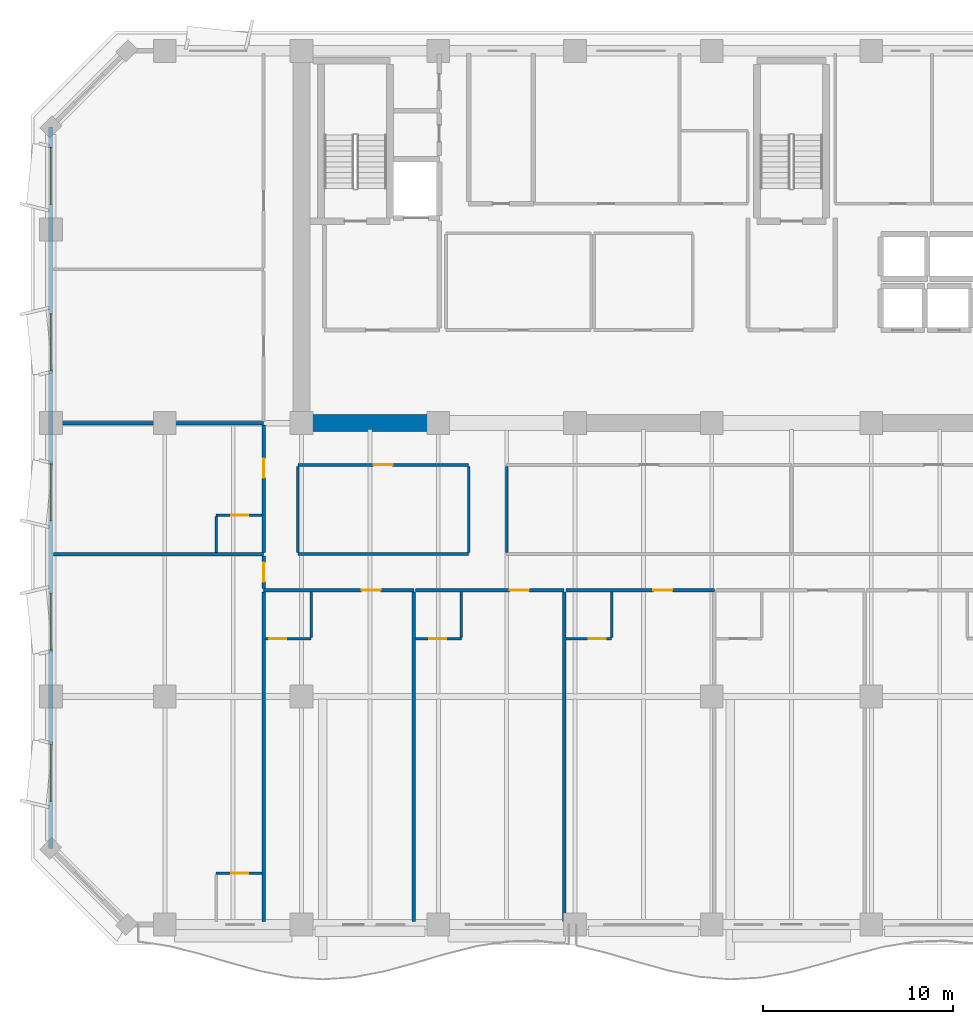
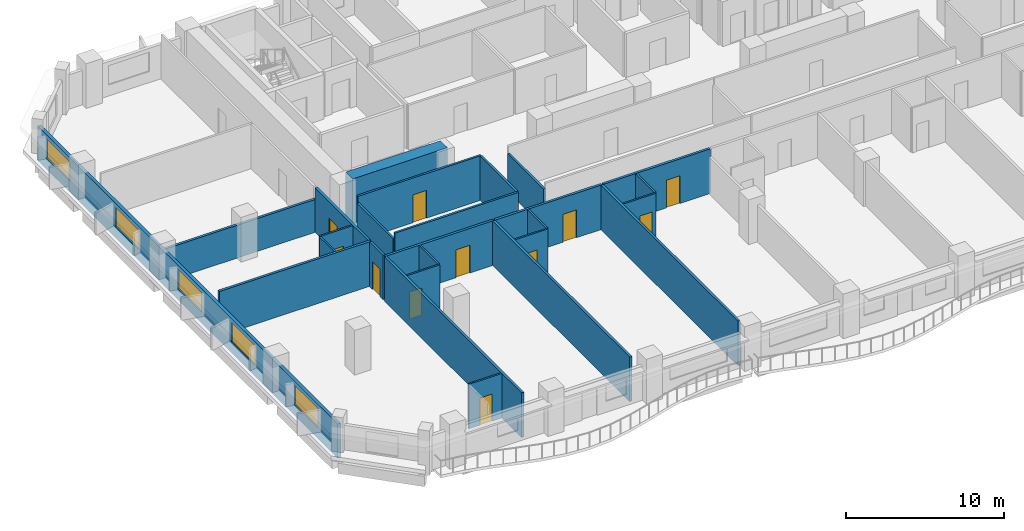
# One storey, part 4 of 15: 26 walls, 11 doors, 5 windows, 16 openings.
"""IFC4 building model written with IfcOpenShell, lengths in metres."""

from ifc_helpers import new_model, si_unit, direction, frame, frame_2d, origin, place, context, subcontext, project, spatial, rectangle, extrude, material, layer, layer_set, type_object, element, fill, save


model = new_model("IFC4")

# Units and contexts
model_context = context("Model", 3, precision=1e-05, world=origin(), true_north=direction((0.0, 1.0)))
body_context = subcontext(model_context, "Body", "Model", "MODEL_VIEW")
ifc_project = project(units=[si_unit("LENGTHUNIT", "METRE"), si_unit("AREAUNIT", "SQUARE_METRE"), si_unit("VOLUMEUNIT", "CUBIC_METRE"), si_unit("PLANEANGLEUNIT", "RADIAN"), si_unit("MASSUNIT", "GRAM", prefix="KILO")], contexts=[model_context])

# Site, building, storey
site_placement = place(None, origin())
site = spatial("IfcSite", under=ifc_project, at=site_placement, CompositionType="ELEMENT")
building_placement = place(site_placement, origin())
building = spatial("IfcBuilding", under=site, at=building_placement, Name="Kaelvorn Grand Hotel", CompositionType="ELEMENT")
storey_placement = place(building_placement, frame((0.0, 0.0, 180.949951171875)))
storey = spatial("IfcBuildingStorey", under=building, at=storey_placement, Name="L44", CompositionType="ELEMENT", Elevation=180.949951171875)

# Wall
ifc_material_1 = material(Name="Concrete C60/75", Category="concrete")
ifc_layer_1 = layer(ifc_material_1, 0.89990234375)
ifc_layer_set_1 = layer_set([ifc_layer_1], Name="Concrete C60/75")
wall_type_1 = type_object("IfcWallType", Name="WL-CORE-900-C60", PredefinedType="SHEAR", material=ifc_layer_set_1)
wall_1_placement = place(storey_placement, frame((16.655029296875, 29.39990234375, 0.0), z_axis=(0.0, 0.0, 1.0), x_axis=(1.0, 0.0, 0.0)))
element("IfcWall", 1, at=wall_1_placement, inside=storey, type_object=wall_type_1, Name="L44 Rear-Core Coupled Shear Pier S1", PredefinedType="SHEAR", context=body_context, shape_type="SweptSolid", body=[
    extrude(rectangle(XDim=6.945068359375, YDim=0.89990234375, at=frame_2d((3.47265625, 0.0))), origin(), (0.0, 0.0, 1.0), 3.449951171875),
])

# Wall, openings, windows
ifc_material_2 = material(Name="Concrete C40/50", Category="concrete")
ifc_layer_2 = layer(ifc_material_2, 0.239990234375)
ifc_layer_set_2 = layer_set([ifc_layer_2], Name="Concrete C40/50")
wall_type_2 = type_object("IfcWallType", Name="WL-EXT-240-C40", PredefinedType="SOLIDWALL", material=ifc_layer_set_2)
wall_2_placement = place(storey_placement, frame((3.0, 45.0, 0.0), z_axis=(0.0, 0.0, 1.0), x_axis=(0.0, -1.0, 0.0)))
wall_2 = element("IfcWall", 2, at=wall_2_placement, inside=storey, type_object=wall_type_2, Name="L44 Exterior Architectural Concrete Wall 07", PredefinedType="SOLIDWALL", context=body_context, shape_type="SweptSolid", body=[
    extrude(rectangle(XDim=38.0, YDim=0.239990234375, at=frame_2d((19.0, 0.0))), origin(), (0.0, 0.0, 1.0), 2.650146484375),
])
opening_1_placement = place(wall_2_placement, frame((32.5, 0.0, 0.85009765625)))
opening_1 = element("IfcOpeningElement", 3, at=opening_1_placement, cuts=wall_2, Name="Opening W5", PredefinedType="OPENING", context=body_context, shape_type="SweptSolid", body=[
    extrude(rectangle(XDim=3.0, YDim=1.5, at=frame_2d((1.5, 0.75))), frame((0.0, 0.1298828125, 0.0), z_axis=(0.0, -1.0, 0.0), x_axis=(1.0, 0.0, 0.0)), (0.0, 0.0, 1.0), 0.260009765625),
])
opening_2_placement = place(wall_2_placement, frame((24.550048828125, 0.0, 0.85009765625)))
opening_2 = element("IfcOpeningElement", 4, at=opening_2_placement, cuts=wall_2, Name="Opening W5", PredefinedType="OPENING", context=body_context, shape_type="SweptSolid", body=[
    extrude(rectangle(XDim=3.0, YDim=1.5, at=frame_2d((1.5, 0.75))), frame((0.0, 0.1298828125, 0.0), z_axis=(0.0, -1.0, 0.0), x_axis=(1.0, 0.0, 0.0)), (0.0, 0.0, 1.0), 0.260009765625),
])
opening_3_placement = place(wall_2_placement, frame((17.75, 0.0, 0.85009765625)))
opening_3 = element("IfcOpeningElement", 5, at=opening_3_placement, cuts=wall_2, Name="Opening W5", PredefinedType="OPENING", context=body_context, shape_type="SweptSolid", body=[
    extrude(rectangle(XDim=3.0, YDim=1.5, at=frame_2d((1.5, 0.75))), frame((0.0, 0.1298828125, 0.0), z_axis=(0.0, -1.0, 0.0), x_axis=(1.0, 0.0, 0.0)), (0.0, 0.0, 1.0), 0.260009765625),
])
opening_4_placement = place(wall_2_placement, frame((9.85009765625, 0.0, 0.85009765625)))
opening_4 = element("IfcOpeningElement", 6, at=opening_4_placement, cuts=wall_2, Name="Opening W5", PredefinedType="OPENING", context=body_context, shape_type="SweptSolid", body=[
    extrude(rectangle(XDim=3.0, YDim=1.5, at=frame_2d((1.5, 0.75))), frame((0.0, 0.1298828125, 0.0), z_axis=(0.0, -1.0, 0.0), x_axis=(1.0, 0.0, 0.0)), (0.0, 0.0, 1.0), 0.260009765625),
])
opening_5_placement = place(wall_2_placement, frame((1.0849609375, 0.0, 0.85009765625)))
opening_5 = element("IfcOpeningElement", 7, at=opening_5_placement, cuts=wall_2, Name="Opening W5", PredefinedType="OPENING", context=body_context, shape_type="SweptSolid", body=[
    extrude(rectangle(XDim=3.0, YDim=1.5, at=frame_2d((1.5, 0.75))), frame((0.0, 0.1298828125, 0.0), z_axis=(0.0, -1.0, 0.0), x_axis=(1.0, 0.0, 0.0)), (0.0, 0.0, 1.0), 0.260009765625),
])
ifc_material_3 = material(Name="Laminated Low-E Glass", Category="glass")
window_type = type_object("IfcWindowType", Name="WIN-NTH-3000x1500", PartitioningType="SINGLE_PANEL", PredefinedType="WINDOW", material=ifc_material_3)
window_1_placement = place(opening_1_placement, origin())
window_1 = element("IfcWindow", 8, at=window_1_placement, inside=storey, type_object=window_type, Name="L44 W Wing Tilted-Frame Ribbon Window W01", OverallHeight=1.5, OverallWidth=3.0, PartitioningType="SINGLE_PANEL", PredefinedType="WINDOW", context=body_context, shape_type="SweptSolid", body=[
    extrude(rectangle(XDim=3.0, YDim=1.5, at=frame_2d((1.5, 0.75))), frame((0.0, 0.030029296875, 0.0), z_axis=(0.0, -1.0, 0.0), x_axis=(1.0, 0.0, 0.0)), (0.0, 0.0, 1.0), 0.06005859375),
])
fill(opening_1, window_1)
window_2_placement = place(opening_2_placement, origin())
window_2 = element("IfcWindow", 9, at=window_2_placement, inside=storey, type_object=window_type, Name="L44 W Wing Tilted-Frame Ribbon Window W02", OverallHeight=1.5, OverallWidth=3.0, PartitioningType="SINGLE_PANEL", PredefinedType="WINDOW", context=body_context, shape_type="SweptSolid", body=[
    extrude(rectangle(XDim=3.0, YDim=1.5, at=frame_2d((1.5, 0.75))), frame((0.0, 0.030029296875, 0.0), z_axis=(0.0, -1.0, 0.0), x_axis=(1.0, 0.0, 0.0)), (0.0, 0.0, 1.0), 0.06005859375),
])
fill(opening_2, window_2)
window_3_placement = place(opening_3_placement, origin())
window_3 = element("IfcWindow", 10, at=window_3_placement, inside=storey, type_object=window_type, Name="L44 W Wing Tilted-Frame Ribbon Window W03", OverallHeight=1.5, OverallWidth=3.0, PartitioningType="SINGLE_PANEL", PredefinedType="WINDOW", context=body_context, shape_type="SweptSolid", body=[
    extrude(rectangle(XDim=3.0, YDim=1.5, at=frame_2d((1.5, 0.75))), frame((0.0, 0.030029296875, 0.0), z_axis=(0.0, -1.0, 0.0), x_axis=(1.0, 0.0, 0.0)), (0.0, 0.0, 1.0), 0.06005859375),
])
fill(opening_3, window_3)
window_4_placement = place(opening_4_placement, origin())
window_4 = element("IfcWindow", 11, at=window_4_placement, inside=storey, type_object=window_type, Name="L44 W Wing Tilted-Frame Ribbon Window W04", OverallHeight=1.5, OverallWidth=3.0, PartitioningType="SINGLE_PANEL", PredefinedType="WINDOW", context=body_context, shape_type="SweptSolid", body=[
    extrude(rectangle(XDim=3.0, YDim=1.5, at=frame_2d((1.5, 0.75))), frame((0.0, 0.030029296875, 0.0), z_axis=(0.0, -1.0, 0.0), x_axis=(1.0, 0.0, 0.0)), (0.0, 0.0, 1.0), 0.06005859375),
])
fill(opening_4, window_4)
window_5_placement = place(opening_5_placement, origin())
window_5 = element("IfcWindow", 12, at=window_5_placement, inside=storey, type_object=window_type, Name="L44 W Wing Tilted-Frame Ribbon Window W05", OverallHeight=1.5, OverallWidth=3.0, PartitioningType="SINGLE_PANEL", PredefinedType="WINDOW", context=body_context, shape_type="SweptSolid", body=[
    extrude(rectangle(XDim=3.0, YDim=1.5, at=frame_2d((1.5, 0.75))), frame((0.0, 0.030029296875, 0.0), z_axis=(0.0, -1.0, 0.0), x_axis=(1.0, 0.0, 0.0)), (0.0, 0.0, 1.0), 0.06005859375),
])
fill(opening_5, window_5)

# Wall, opening, door
ifc_material_4 = material(Name="Moisture-Resistant Tile & Stud Board")
ifc_layer_3 = layer(ifc_material_4, 0.125)
ifc_layer_set_3 = layer_set([ifc_layer_3], Name="Moisture-Resistant Tile & Stud Board")
wall_type_3 = type_object("IfcWallType", Name="WL-PART-125-WET", PredefinedType="PARTITIONING", material=ifc_layer_set_3)
wall_3_placement = place(storey_placement, frame((14.294921875, 18.050048828125, 0.0), z_axis=(0.0, 0.0, 1.0), x_axis=(1.0, 0.0, 0.0)))
wall_3 = element("IfcWall", 13, at=wall_3_placement, inside=storey, type_object=wall_type_3, Name="L44 En-suite Bathroom L44-01 S Partition", PredefinedType="PARTITIONING", context=body_context, shape_type="SweptSolid", body=[
    extrude(rectangle(XDim=2.405029296875, YDim=0.125, at=frame_2d((1.20263671875, 0.0))), origin(), (0.0, 0.0, 1.0), 3.449951171875),
])
opening_6_placement = place(wall_3_placement, frame((0.205078125, 0.0, 0.0)))
opening_6 = element("IfcOpeningElement", 14, at=opening_6_placement, cuts=wall_3, Name="Opening DI4", PredefinedType="OPENING", context=body_context, shape_type="SweptSolid", body=[
    extrude(rectangle(XDim=0.89990234375, YDim=2.10009765625, at=frame_2d((0.449951171875, 1.050048828125))), frame((0.0, 0.072509765625, 0.0), z_axis=(0.0, -1.0, 0.0), x_axis=(1.0, 0.0, 0.0)), (0.0, 0.0, 1.0), 0.14501953125),
])
ifc_material_5 = material(Name="Timber Veneer Leaf", Category="wood")
door_type_1 = type_object("IfcDoorType", Name="DR-INT-BATH-900x2100", OperationType="NOTDEFINED", PredefinedType="DOOR", material=ifc_material_5)
door_1_placement = place(opening_6_placement, origin())
door_1 = element("IfcDoor", 15, at=door_1_placement, inside=storey, type_object=door_type_1, Name="L44 En-suite Bathroom L44-01 Door", OperationType="SINGLE_SWING_RIGHT", OverallHeight=2.10009765625, OverallWidth=0.89990234375, PredefinedType="DOOR", context=body_context, shape_type="SweptSolid", body=[
    extrude(rectangle(XDim=0.89990234375, YDim=2.10009765625, at=frame_2d((0.449951171875, 1.050048828125))), frame((0.0, 0.02490234375, 0.0), z_axis=(0.0, -1.0, 0.0), x_axis=(1.0, 0.0, 0.0)), (0.0, 0.0, 1.0), 0.050048828125),
])
fill(opening_6, door_1)

# Wall
wall_4_placement = place(storey_placement, frame((16.699951171875, 18.117431640625, 0.0), z_axis=(0.0, 0.0, 1.0), x_axis=(0.0, 1.0, 0.0)))
element("IfcWall", 16, at=wall_4_placement, inside=storey, type_object=wall_type_3, Name="L44 En-suite Bathroom L44-01 E Partition", PredefinedType="PARTITIONING", context=body_context, shape_type="SweptSolid", body=[
    extrude(rectangle(XDim=2.387451171875, YDim=0.125, at=frame_2d((1.19384765625, 0.0))), origin(), (0.0, 0.0, 1.0), 3.449951171875),
])

# Wall, opening, door
wall_5_placement = place(storey_placement, frame((22.207275390625, 18.050048828125, 0.0), z_axis=(0.0, 0.0, 1.0), x_axis=(1.0, 0.0, 0.0)))
wall_5 = element("IfcWall", 17, at=wall_5_placement, inside=storey, type_object=wall_type_3, Name="L44 En-suite Bathroom L44-02 S Partition", PredefinedType="PARTITIONING", context=body_context, shape_type="SweptSolid", body=[
    extrude(rectangle(XDim=2.405029296875, YDim=0.125, at=frame_2d((1.20263671875, 0.0))), origin(), (0.0, 0.0, 1.0), 3.449951171875),
])
opening_7_placement = place(wall_5_placement, frame((0.705078125, 0.0, 0.0)))
opening_7 = element("IfcOpeningElement", 18, at=opening_7_placement, cuts=wall_5, Name="Opening DI4", PredefinedType="OPENING", context=body_context, shape_type="SweptSolid", body=[
    extrude(rectangle(XDim=0.89990234375, YDim=2.10009765625, at=frame_2d((0.449951171875, 1.050048828125))), frame((0.0, 0.072509765625, 0.0), z_axis=(0.0, -1.0, 0.0), x_axis=(1.0, 0.0, 0.0)), (0.0, 0.0, 1.0), 0.14501953125),
])
door_2_placement = place(opening_7_placement, origin())
door_2 = element("IfcDoor", 19, at=door_2_placement, inside=storey, type_object=door_type_1, Name="L44 En-suite Bathroom L44-02 Door", OperationType="SINGLE_SWING_RIGHT", OverallHeight=2.10009765625, OverallWidth=0.89990234375, PredefinedType="DOOR", context=body_context, shape_type="SweptSolid", body=[
    extrude(rectangle(XDim=0.89990234375, YDim=2.10009765625, at=frame_2d((0.449951171875, 1.050048828125))), frame((0.0, 0.02490234375, 0.0), z_axis=(0.0, -1.0, 0.0), x_axis=(1.0, 0.0, 0.0)), (0.0, 0.0, 1.0), 0.050048828125),
])
fill(opening_7, door_2)

# Wall
wall_6_placement = place(storey_placement, frame((24.6123046875, 18.117431640625, 0.0), z_axis=(0.0, 0.0, 1.0), x_axis=(0.0, 1.0, 0.0)))
element("IfcWall", 20, at=wall_6_placement, inside=storey, type_object=wall_type_3, Name="L44 En-suite Bathroom L44-02 E Partition", PredefinedType="PARTITIONING", context=body_context, shape_type="SweptSolid", body=[
    extrude(rectangle(XDim=2.387451171875, YDim=0.125, at=frame_2d((1.19384765625, 0.0))), origin(), (0.0, 0.0, 1.0), 3.449951171875),
])

# Wall, opening, door
wall_7_placement = place(storey_placement, frame((30.11962890625, 18.050048828125, 0.0), z_axis=(0.0, 0.0, 1.0), x_axis=(1.0, 0.0, 0.0)))
wall_7 = element("IfcWall", 21, at=wall_7_placement, inside=storey, type_object=wall_type_3, Name="L44 En-suite Bathroom L44-03 S Partition", PredefinedType="PARTITIONING", context=body_context, shape_type="SweptSolid", body=[
    extrude(rectangle(XDim=2.405029296875, YDim=0.125, at=frame_2d((1.20263671875, 0.0))), origin(), (0.0, 0.0, 1.0), 3.449951171875),
])
opening_8_placement = place(wall_7_placement, frame((1.205078125, 0.0, 0.0)))
opening_8 = element("IfcOpeningElement", 22, at=opening_8_placement, cuts=wall_7, Name="Opening DI4", PredefinedType="OPENING", context=body_context, shape_type="SweptSolid", body=[
    extrude(rectangle(XDim=0.89990234375, YDim=2.10009765625, at=frame_2d((0.449951171875, 1.050048828125))), frame((0.0, 0.072509765625, 0.0), z_axis=(0.0, -1.0, 0.0), x_axis=(1.0, 0.0, 0.0)), (0.0, 0.0, 1.0), 0.14501953125),
])
door_3_placement = place(opening_8_placement, origin())
door_3 = element("IfcDoor", 23, at=door_3_placement, inside=storey, type_object=door_type_1, Name="L44 En-suite Bathroom L44-03 Door", OperationType="SINGLE_SWING_RIGHT", OverallHeight=2.10009765625, OverallWidth=0.89990234375, PredefinedType="DOOR", context=body_context, shape_type="SweptSolid", body=[
    extrude(rectangle(XDim=0.89990234375, YDim=2.10009765625, at=frame_2d((0.449951171875, 1.050048828125))), frame((0.0, 0.02490234375, 0.0), z_axis=(0.0, -1.0, 0.0), x_axis=(1.0, 0.0, 0.0)), (0.0, 0.0, 1.0), 0.050048828125),
])
fill(opening_8, door_3)

# Wall
wall_8_placement = place(storey_placement, frame((32.524658203125, 18.117431640625, 0.0), z_axis=(0.0, 0.0, 1.0), x_axis=(0.0, 1.0, 0.0)))
element("IfcWall", 24, at=wall_8_placement, inside=storey, type_object=wall_type_3, Name="L44 En-suite Bathroom L44-03 E Partition", PredefinedType="PARTITIONING", context=body_context, shape_type="SweptSolid", body=[
    extrude(rectangle(XDim=2.387451171875, YDim=0.125, at=frame_2d((1.19384765625, 0.0))), origin(), (0.0, 0.0, 1.0), 3.449951171875),
])

# Wall, opening, door
wall_9_placement = place(storey_placement, frame((11.699951171875, 5.699951171875, 0.0), z_axis=(0.0, 0.0, 1.0), x_axis=(1.0, 0.0, 0.0)))
wall_9 = element("IfcWall", 25, at=wall_9_placement, inside=storey, type_object=wall_type_3, Name="L44 En-suite Bathroom L44-08 N Partition", PredefinedType="PARTITIONING", context=body_context, shape_type="SweptSolid", body=[
    extrude(rectangle(XDim=2.405029296875, YDim=0.125, at=frame_2d((1.20263671875, 0.0))), origin(), (0.0, 0.0, 1.0), 3.449951171875),
])
opening_9_placement = place(wall_9_placement, frame((0.800048828125, 0.0, 0.0)))
opening_9 = element("IfcOpeningElement", 26, at=opening_9_placement, cuts=wall_9, Name="Opening DI4", PredefinedType="OPENING", context=body_context, shape_type="SweptSolid", body=[
    extrude(rectangle(XDim=0.89990234375, YDim=2.10009765625, at=frame_2d((0.449951171875, 1.050048828125))), frame((0.0, 0.072509765625, 0.0), z_axis=(0.0, -1.0, 0.0), x_axis=(1.0, 0.0, 0.0)), (0.0, 0.0, 1.0), 0.14501953125),
])
door_4_placement = place(opening_9_placement, origin())
door_4 = element("IfcDoor", 27, at=door_4_placement, inside=storey, type_object=door_type_1, Name="L44 En-suite Bathroom L44-08 Door", OperationType="SINGLE_SWING_RIGHT", OverallHeight=2.10009765625, OverallWidth=0.89990234375, PredefinedType="DOOR", context=body_context, shape_type="SweptSolid", body=[
    extrude(rectangle(XDim=0.89990234375, YDim=2.10009765625, at=frame_2d((0.449951171875, 1.050048828125))), frame((0.0, 0.02490234375, 0.0), z_axis=(0.0, -1.0, 0.0), x_axis=(1.0, 0.0, 0.0)), (0.0, 0.0, 1.0), 0.050048828125),
])
fill(opening_9, door_4)

wall_10_placement = place(storey_placement, frame((11.699951171875, 24.550048828125, 0.0), z_axis=(0.0, 0.0, 1.0), x_axis=(1.0, 0.0, 0.0)))
wall_10 = element("IfcWall", 28, at=wall_10_placement, inside=storey, type_object=wall_type_3, Name="L44 En-suite Bathroom L44-09 N Partition", PredefinedType="PARTITIONING", context=body_context, shape_type="SweptSolid", body=[
    extrude(rectangle(XDim=2.405029296875, YDim=0.125, at=frame_2d((1.20263671875, 0.0))), origin(), (0.0, 0.0, 1.0), 3.449951171875),
])
opening_10_placement = place(wall_10_placement, frame((0.800048828125, 0.0, 0.0)))
opening_10 = element("IfcOpeningElement", 29, at=opening_10_placement, cuts=wall_10, Name="Opening DI4", PredefinedType="OPENING", context=body_context, shape_type="SweptSolid", body=[
    extrude(rectangle(XDim=0.89990234375, YDim=2.10009765625, at=frame_2d((0.449951171875, 1.050048828125))), frame((0.0, 0.072509765625, 0.0), z_axis=(0.0, -1.0, 0.0), x_axis=(1.0, 0.0, 0.0)), (0.0, 0.0, 1.0), 0.14501953125),
])
door_5_placement = place(opening_10_placement, origin())
door_5 = element("IfcDoor", 30, at=door_5_placement, inside=storey, type_object=door_type_1, Name="L44 En-suite Bathroom L44-09 Door", OperationType="SINGLE_SWING_RIGHT", OverallHeight=2.10009765625, OverallWidth=0.89990234375, PredefinedType="DOOR", context=body_context, shape_type="SweptSolid", body=[
    extrude(rectangle(XDim=0.89990234375, YDim=2.10009765625, at=frame_2d((0.449951171875, 1.050048828125))), frame((0.0, 0.02490234375, 0.0), z_axis=(0.0, -1.0, 0.0), x_axis=(1.0, 0.0, 0.0)), (0.0, 0.0, 1.0), 0.050048828125),
])
fill(opening_10, door_5)

# Walls
wall_11_placement = place(storey_placement, frame((11.699951171875, 22.594970703125, 0.0), z_axis=(0.0, 0.0, 1.0), x_axis=(0.0, 1.0, 0.0)))
element("IfcWall", 31, at=wall_11_placement, inside=storey, type_object=wall_type_3, Name="L44 En-suite Bathroom L44-09 W Partition", PredefinedType="PARTITIONING", context=body_context, shape_type="SweptSolid", body=[
    extrude(rectangle(XDim=1.887451171875, YDim=0.125, at=frame_2d((0.94384765625, 0.0))), origin(), (0.0, 0.0, 1.0), 3.449951171875),
])
ifc_material_6 = material(Name="Acoustic Gypsum & Stud Partition")
ifc_layer_4 = layer(ifc_material_6, 0.14990234375)
ifc_layer_set_4 = layer_set([ifc_layer_4], Name="Acoustic Gypsum & Stud Partition")
wall_type_4 = type_object("IfcWallType", Name="WL-PART-150-EI60", PredefinedType="PARTITIONING", material=ifc_layer_set_4)
wall_12_placement = place(storey_placement, frame((16.0, 22.5, 0.0), z_axis=(0.0, 0.0, 1.0), x_axis=(1.0, 0.0, 0.0)))
element("IfcWall", 32, at=wall_12_placement, inside=storey, type_object=wall_type_4, Name="L44 Private Cinema Lounge S Partition", PredefinedType="PARTITIONING", context=body_context, shape_type="SweptSolid", body=[
    extrude(rectangle(XDim=9.0, YDim=0.14990234375, at=frame_2d((4.5, 0.0))), origin(), (0.0, 0.0, 1.0), 3.449951171875),
])

# Wall, opening, door
wall_13_placement = place(storey_placement, frame((16.0, 27.199951171875, 0.0), z_axis=(0.0, 0.0, 1.0), x_axis=(1.0, 0.0, 0.0)))
wall_13 = element("IfcWall", 33, at=wall_13_placement, inside=storey, type_object=wall_type_4, Name="L44 Private Cinema Lounge N Partition", PredefinedType="PARTITIONING", context=body_context, shape_type="SweptSolid", body=[
    extrude(rectangle(XDim=9.0, YDim=0.14990234375, at=frame_2d((4.5, 0.0))), origin(), (0.0, 0.0, 1.0), 3.449951171875),
])
opening_11_placement = place(wall_13_placement, frame((4.0, 0.0, 0.0)))
opening_11 = element("IfcOpeningElement", 34, at=opening_11_placement, cuts=wall_13, Name="Opening DI3", PredefinedType="OPENING", context=body_context, shape_type="SweptSolid", body=[
    extrude(rectangle(XDim=1.0, YDim=2.14990234375, at=frame_2d((0.5, 1.074951171875))), frame((0.0, 0.0849609375, 0.0), z_axis=(0.0, -1.0, 0.0), x_axis=(1.0, 0.0, 0.0)), (0.0, 0.0, 1.0), 0.169921875),
])
ifc_material_7 = material(Name="Timber Veneer Fire Leaf", Category="wood")
door_type_2 = type_object("IfcDoorType", Name="DR-INT-GUEST-1000x2150", OperationType="NOTDEFINED", PredefinedType="DOOR", material=ifc_material_7)
door_6_placement = place(opening_11_placement, origin())
door_6 = element("IfcDoor", 35, at=door_6_placement, inside=storey, type_object=door_type_2, Name="L44 Private Cinema Lounge Door", OperationType="SINGLE_SWING_LEFT", OverallHeight=2.14990234375, OverallWidth=1.0, PredefinedType="DOOR", context=body_context, shape_type="SweptSolid", body=[
    extrude(rectangle(XDim=1.0, YDim=2.14990234375, at=frame_2d((0.5, 1.074951171875))), frame((0.0, 0.02490234375, 0.0), z_axis=(0.0, -1.0, 0.0), x_axis=(1.0, 0.0, 0.0)), (0.0, 0.0, 1.0), 0.050048828125),
])
fill(opening_11, door_6)

# Walls
wall_14_placement = place(storey_placement, frame((16.0, 22.580078125, 0.0), z_axis=(0.0, 0.0, 1.0), x_axis=(0.0, 1.0, 0.0)))
element("IfcWall", 36, at=wall_14_placement, inside=storey, type_object=wall_type_4, Name="L44 Private Cinema Lounge W Partition", PredefinedType="PARTITIONING", context=body_context, shape_type="SweptSolid", body=[
    extrude(rectangle(XDim=4.5400390625, YDim=0.14990234375, at=frame_2d((2.27001953125, 0.0))), origin(), (0.0, 0.0, 1.0), 2.949951171875),
])
wall_15_placement = place(storey_placement, frame((25.0, 22.580078125, 0.0), z_axis=(0.0, 0.0, 1.0), x_axis=(0.0, 1.0, 0.0)))
element("IfcWall", 37, at=wall_15_placement, inside=storey, type_object=wall_type_4, Name="L44 Private Cinema Lounge E Partition", PredefinedType="PARTITIONING", context=body_context, shape_type="SweptSolid", body=[
    extrude(rectangle(XDim=4.5400390625, YDim=0.14990234375, at=frame_2d((2.27001953125, 0.0))), origin(), (0.0, 0.0, 1.0), 3.449951171875),
])
wall_16_placement = place(storey_placement, frame((27.0, 22.580078125, 0.0), z_axis=(0.0, 0.0, 1.0), x_axis=(0.0, 1.0, 0.0)))
element("IfcWall", 38, at=wall_16_placement, inside=storey, type_object=wall_type_4, Name="L44 Sommelier Wine Bar W Partition", PredefinedType="PARTITIONING", context=body_context, shape_type="SweptSolid", body=[
    extrude(rectangle(XDim=4.5400390625, YDim=0.14990234375, at=frame_2d((2.27001953125, 0.0))), origin(), (0.0, 0.0, 1.0), 2.949951171875),
])

# Wall, opening, door
ifc_layer_5 = layer(ifc_material_6, 0.179931640625)
ifc_layer_set_5 = layer_set([ifc_layer_5], Name="Acoustic Gypsum & Stud Partition")
wall_type_5 = type_object("IfcWallType", Name="WL-PART-180-EI60", PredefinedType="PARTITIONING", material=ifc_layer_set_5)
wall_17_placement = place(storey_placement, frame((14.199951171875, 20.60009765625, 0.0), z_axis=(0.0, 0.0, 1.0), x_axis=(1.0, 0.0, 0.0)))
wall_17 = element("IfcWall", 39, at=wall_17_placement, inside=storey, type_object=wall_type_5, Name="L44 Mid-Rise Signature Suite L44-01 N Partition", PredefinedType="PARTITIONING", context=body_context, shape_type="SweptSolid", body=[
    extrude(rectangle(XDim=7.912353515625, YDim=0.179931640625, at=frame_2d((3.9560546875, 0.0))), origin(), (0.0, 0.0, 1.0), 3.449951171875),
])
opening_12_placement = place(wall_17_placement, frame((5.156005859375, 0.0, 0.0)))
opening_12 = element("IfcOpeningElement", 40, at=opening_12_placement, cuts=wall_17, Name="Opening DI3", PredefinedType="OPENING", context=body_context, shape_type="SweptSolid", body=[
    extrude(rectangle(XDim=1.0, YDim=2.14990234375, at=frame_2d((0.5, 1.074951171875))), frame((0.0, 0.10009765625, 0.0), z_axis=(0.0, -1.0, 0.0), x_axis=(1.0, 0.0, 0.0)), (0.0, 0.0, 1.0), 0.199951171875),
])
door_7_placement = place(opening_12_placement, origin())
door_7 = element("IfcDoor", 41, at=door_7_placement, inside=storey, type_object=door_type_2, Name="L44 Mid-Rise Signature Suite L44-01 Door", OperationType="SINGLE_SWING_LEFT", OverallHeight=2.14990234375, OverallWidth=1.0, PredefinedType="DOOR", context=body_context, shape_type="SweptSolid", body=[
    extrude(rectangle(XDim=1.0, YDim=2.14990234375, at=frame_2d((0.5, 1.074951171875))), frame((0.0, 0.02490234375, 0.0), z_axis=(0.0, -1.0, 0.0), x_axis=(1.0, 0.0, 0.0)), (0.0, 0.0, 1.0), 0.050048828125),
])
fill(opening_12, door_7)

# Walls
for number, where, z_axis, x_axis, name in (
    (42, (14.199951171875, 3.14990234375, 0.0), (0.0, 0.0, 1.0), (0.0, 1.0, 0.0), "L44 Mid-Rise Signature Suite L44-01 W Partition"),
    (43, (22.1123046875, 3.14990234375, 0.0), (0.0, 0.0, 1.0), (0.0, 1.0, 0.0), "L44 Mid-Rise Signature Suite L44-01 E Partition"),
):
    element("IfcWall", number, at=place(storey_placement, frame(where, z_axis=z_axis, x_axis=x_axis)), inside=storey, type_object=wall_type_5, Name=name, PredefinedType="PARTITIONING", context=body_context, shape_type="SweptSolid", body=[
        extrude(rectangle(XDim=17.35498046875, YDim=0.179931640625, at=frame_2d((8.677490234375, 0.0))), origin(), (0.0, 0.0, 1.0), 3.449951171875),
    ])

# Wall, opening, door
wall_18_placement = place(storey_placement, frame((22.207275390625, 20.60009765625, 0.0), z_axis=(0.0, 0.0, 1.0), x_axis=(1.0, 0.0, 0.0)))
wall_18 = element("IfcWall", 44, at=wall_18_placement, inside=storey, type_object=wall_type_5, Name="L44 Mid-Rise Signature Suite L44-02 N Partition", PredefinedType="PARTITIONING", context=body_context, shape_type="SweptSolid", body=[
    extrude(rectangle(XDim=7.8173828125, YDim=0.179931640625, at=frame_2d((3.90869140625, 0.0))), origin(), (0.0, 0.0, 1.0), 3.449951171875),
])
opening_13_placement = place(wall_18_placement, frame((4.958984375, 0.0, 0.0)))
opening_13 = element("IfcOpeningElement", 45, at=opening_13_placement, cuts=wall_18, Name="Opening DI3", PredefinedType="OPENING", context=body_context, shape_type="SweptSolid", body=[
    extrude(rectangle(XDim=1.0, YDim=2.14990234375, at=frame_2d((0.5, 1.074951171875))), frame((0.0, 0.10009765625, 0.0), z_axis=(0.0, -1.0, 0.0), x_axis=(1.0, 0.0, 0.0)), (0.0, 0.0, 1.0), 0.199951171875),
])
door_8_placement = place(opening_13_placement, origin())
door_8 = element("IfcDoor", 46, at=door_8_placement, inside=storey, type_object=door_type_2, Name="L44 Mid-Rise Signature Suite L44-02 Door", OperationType="SINGLE_SWING_LEFT", OverallHeight=2.14990234375, OverallWidth=1.0, PredefinedType="DOOR", context=body_context, shape_type="SweptSolid", body=[
    extrude(rectangle(XDim=1.0, YDim=2.14990234375, at=frame_2d((0.5, 1.074951171875))), frame((0.0, 0.02490234375, 0.0), z_axis=(0.0, -1.0, 0.0), x_axis=(1.0, 0.0, 0.0)), (0.0, 0.0, 1.0), 0.050048828125),
])
fill(opening_13, door_8)

# Wall
wall_19_placement = place(storey_placement, frame((30.024658203125, 3.14990234375, 0.0), z_axis=(0.0, 0.0, 1.0), x_axis=(0.0, 1.0, 0.0)))
element("IfcWall", 47, at=wall_19_placement, inside=storey, type_object=wall_type_5, Name="L44 Mid-Rise Signature Suite L44-02 E Partition", PredefinedType="PARTITIONING", context=body_context, shape_type="SweptSolid", body=[
    extrude(rectangle(XDim=17.35498046875, YDim=0.179931640625, at=frame_2d((8.677490234375, 0.0))), origin(), (0.0, 0.0, 1.0), 3.449951171875),
])

# Wall, opening, door
wall_20_placement = place(storey_placement, frame((30.11962890625, 20.60009765625, 0.0), z_axis=(0.0, 0.0, 1.0), x_axis=(1.0, 0.0, 0.0)))
wall_20 = element("IfcWall", 48, at=wall_20_placement, inside=storey, type_object=wall_type_5, Name="L44 Mid-Rise Signature Suite L44-03 N Partition", PredefinedType="PARTITIONING", context=body_context, shape_type="SweptSolid", body=[
    extrude(rectangle(XDim=7.8173828125, YDim=0.179931640625, at=frame_2d((3.90869140625, 0.0))), origin(), (0.0, 0.0, 1.0), 3.449951171875),
])
opening_14_placement = place(wall_20_placement, frame((4.602783203125, 0.0, 0.0)))
opening_14 = element("IfcOpeningElement", 49, at=opening_14_placement, cuts=wall_20, Name="Opening DI3", PredefinedType="OPENING", context=body_context, shape_type="SweptSolid", body=[
    extrude(rectangle(XDim=1.0, YDim=2.14990234375, at=frame_2d((0.5, 1.074951171875))), frame((0.0, 0.10009765625, 0.0), z_axis=(0.0, -1.0, 0.0), x_axis=(1.0, 0.0, 0.0)), (0.0, 0.0, 1.0), 0.199951171875),
])
door_9_placement = place(opening_14_placement, origin())
door_9 = element("IfcDoor", 50, at=door_9_placement, inside=storey, type_object=door_type_2, Name="L44 Mid-Rise Signature Suite L44-03 Door", OperationType="SINGLE_SWING_LEFT", OverallHeight=2.14990234375, OverallWidth=1.0, PredefinedType="DOOR", context=body_context, shape_type="SweptSolid", body=[
    extrude(rectangle(XDim=1.0, YDim=2.14990234375, at=frame_2d((0.5, 1.074951171875))), frame((0.0, 0.02490234375, 0.0), z_axis=(0.0, -1.0, 0.0), x_axis=(1.0, 0.0, 0.0)), (0.0, 0.0, 1.0), 0.050048828125),
])
fill(opening_14, door_9)

# Wall
wall_21_placement = place(storey_placement, frame((3.14990234375, 22.5, 0.0), z_axis=(0.0, 0.0, 1.0), x_axis=(1.0, 0.0, 0.0)))
element("IfcWall", 51, at=wall_21_placement, inside=storey, type_object=wall_type_5, Name="L44 South-West Chamfer Suite L44-08 N Partition", PredefinedType="PARTITIONING", context=body_context, shape_type="SweptSolid", body=[
    extrude(rectangle(XDim=11.050048828125, YDim=0.179931640625, at=frame_2d((5.52490234375, 0.0))), origin(), (0.0, 0.0, 1.0), 3.449951171875),
])

# Wall, opening, door
wall_22_placement = place(storey_placement, frame((14.199951171875, 20.695068359375, 0.0), z_axis=(0.0, 0.0, 1.0), x_axis=(0.0, 1.0, 0.0)))
wall_22 = element("IfcWall", 52, at=wall_22_placement, inside=storey, type_object=wall_type_5, Name="L44 South-West Chamfer Suite L44-08 E Partition", PredefinedType="PARTITIONING", context=body_context, shape_type="SweptSolid", body=[
    extrude(rectangle(XDim=1.7099609375, YDim=0.179931640625, at=frame_2d((0.85498046875, 0.0))), origin(), (0.0, 0.0, 1.0), 3.449951171875),
])
opening_15_placement = place(wall_22_placement, frame((0.35498046875, 0.0, 0.0)))
opening_15 = element("IfcOpeningElement", 53, at=opening_15_placement, cuts=wall_22, Name="Opening DI3", PredefinedType="OPENING", context=body_context, shape_type="SweptSolid", body=[
    extrude(rectangle(XDim=1.0, YDim=2.14990234375, at=frame_2d((0.5, 1.074951171875))), frame((0.0, 0.10009765625, 0.0), z_axis=(0.0, -1.0, 0.0), x_axis=(1.0, 0.0, 0.0)), (0.0, 0.0, 1.0), 0.199951171875),
])
door_10_placement = place(opening_15_placement, origin())
door_10 = element("IfcDoor", 54, at=door_10_placement, inside=storey, type_object=door_type_2, Name="L44 South-West Chamfer Suite L44-08 Door", OperationType="SINGLE_SWING_LEFT", OverallHeight=2.14990234375, OverallWidth=1.0, PredefinedType="DOOR", context=body_context, shape_type="SweptSolid", body=[
    extrude(rectangle(XDim=1.0, YDim=2.14990234375, at=frame_2d((0.5, 1.074951171875))), frame((0.0, 0.02490234375, 0.0), z_axis=(0.0, -1.0, 0.0), x_axis=(1.0, 0.0, 0.0)), (0.0, 0.0, 1.0), 0.050048828125),
])
fill(opening_15, door_10)

# Wall
wall_23_placement = place(storey_placement, frame((3.14990234375, 29.39990234375, 0.0), z_axis=(0.0, 0.0, 1.0), x_axis=(1.0, 0.0, 0.0)))
element("IfcWall", 55, at=wall_23_placement, inside=storey, type_object=wall_type_5, Name="L44 West End Panoramic Suite L44-09 N Partition", PredefinedType="PARTITIONING", context=body_context, shape_type="SweptSolid", body=[
    extrude(rectangle(XDim=11.050048828125, YDim=0.179931640625, at=frame_2d((5.52490234375, 0.0))), origin(), (0.0, 0.0, 1.0), 2.5400390625),
])

# Wall, opening, door
wall_24_placement = place(storey_placement, frame((14.199951171875, 22.594970703125, 0.0), z_axis=(0.0, 0.0, 1.0), x_axis=(0.0, 1.0, 0.0)))
wall_24 = element("IfcWall", 56, at=wall_24_placement, inside=storey, type_object=wall_type_5, Name="L44 West End Panoramic Suite L44-09 E Partition", PredefinedType="PARTITIONING", context=body_context, shape_type="SweptSolid", body=[
    extrude(rectangle(XDim=6.7099609375, YDim=0.179931640625, at=frame_2d((3.35498046875, 0.0))), origin(), (0.0, 0.0, 1.0), 3.449951171875),
])
opening_16_placement = place(wall_24_placement, frame((3.93994140625, 0.0, 0.0)))
opening_16 = element("IfcOpeningElement", 57, at=opening_16_placement, cuts=wall_24, Name="Opening DI3", PredefinedType="OPENING", context=body_context, shape_type="SweptSolid", body=[
    extrude(rectangle(XDim=1.0, YDim=2.14990234375, at=frame_2d((0.5, 1.074951171875))), frame((0.0, 0.10009765625, 0.0), z_axis=(0.0, -1.0, 0.0), x_axis=(1.0, 0.0, 0.0)), (0.0, 0.0, 1.0), 0.199951171875),
])
door_11_placement = place(opening_16_placement, origin())
door_11 = element("IfcDoor", 58, at=door_11_placement, inside=storey, type_object=door_type_2, Name="L44 West End Panoramic Suite L44-09 Door", OperationType="SINGLE_SWING_LEFT", OverallHeight=2.14990234375, OverallWidth=1.0, PredefinedType="DOOR", context=body_context, shape_type="SweptSolid", body=[
    extrude(rectangle(XDim=1.0, YDim=2.14990234375, at=frame_2d((0.5, 1.074951171875))), frame((0.0, 0.02490234375, 0.0), z_axis=(0.0, -1.0, 0.0), x_axis=(1.0, 0.0, 0.0)), (0.0, 0.0, 1.0), 0.050048828125),
])
fill(opening_16, door_11)

save(model, "model.ifc")
